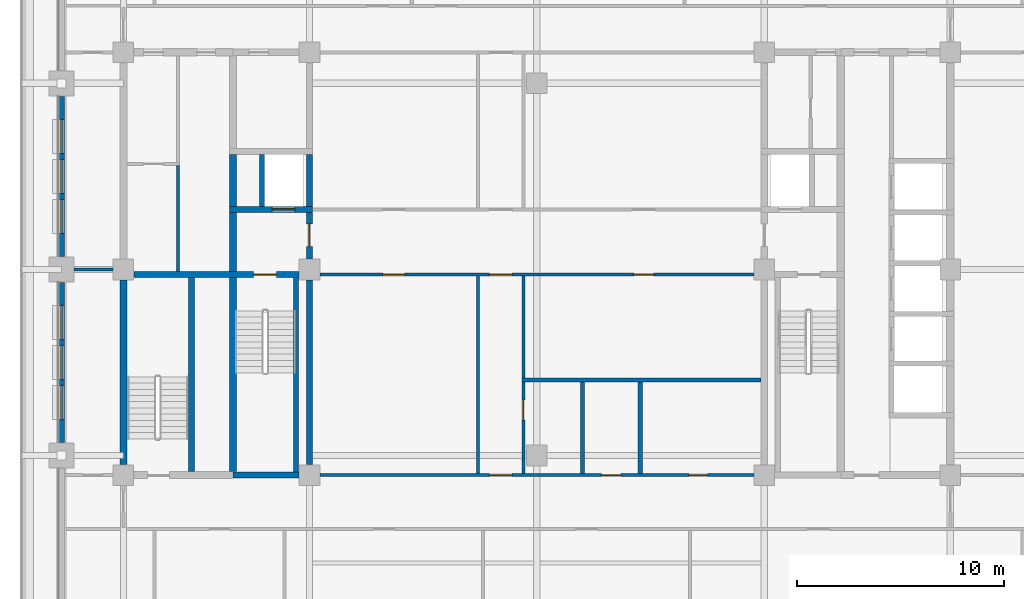
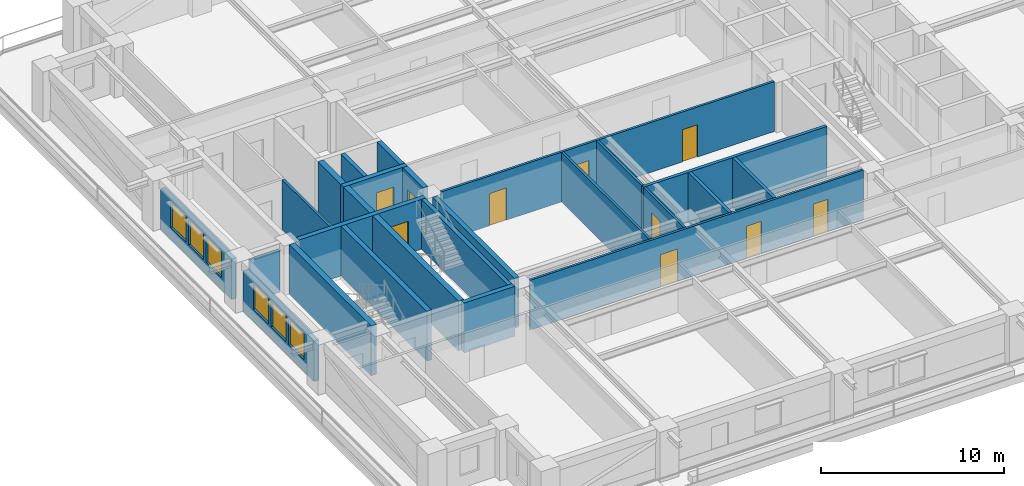
# One storey, part 3 of 14: 25 walls, 10 doors, 6 windows, 16 openings.
"""IFC4 building model written with IfcOpenShell, lengths in metres."""

from ifc_helpers import new_model, si_unit, direction, frame, frame_2d, origin, place, context, subcontext, project, spatial, rectangle, extrude, material, layer, layer_set, type_object, element, fill, save


model = new_model("IFC4")

# Units and contexts
model_context = context("Model", 3, precision=1e-05, world=origin(), true_north=direction((0.0, 1.0)))
body_context = subcontext(model_context, "Body", "Model", "MODEL_VIEW")
ifc_project = project(units=[si_unit("LENGTHUNIT", "METRE"), si_unit("AREAUNIT", "SQUARE_METRE"), si_unit("VOLUMEUNIT", "CUBIC_METRE"), si_unit("PLANEANGLEUNIT", "RADIAN"), si_unit("MASSUNIT", "GRAM", prefix="KILO")], contexts=[model_context])

# Site, building, storey
site_placement = place(None, origin())
site = spatial("IfcSite", under=ifc_project, at=site_placement, CompositionType="ELEMENT")
building_placement = place(site_placement, origin())
building = spatial("IfcBuilding", under=site, at=building_placement, Name="Zulmaris Gate Convention Tower", CompositionType="ELEMENT")
storey_placement = place(building_placement, frame((0.0, 0.0, 98.5)))
storey = spatial("IfcBuildingStorey", under=building, at=storey_placement, Name="L24", CompositionType="ELEMENT", Elevation=98.5)

# Walls
ifc_material_1 = material(Name="Concrete C50/60", Category="concrete")
ifc_layer_1 = layer(ifc_material_1, 0.25, Name="Concrete C50/60")
ifc_layer_set_1 = layer_set([ifc_layer_1], Name="Concrete C50/60")
wall_type_1 = type_object("IfcWallType", Name="CORE-250", PredefinedType="SOLIDWALL", material=ifc_layer_set_1)
wall_1_placement = place(storey_placement, frame((-13.300048828125, 3.052001953125, 0.0), z_axis=(0.0, 0.0, 1.0), x_axis=(0.0, 1.0, 0.0)))
element("IfcWall", 1, at=wall_1_placement, inside=storey, type_object=wall_type_1, Name="WL-L24-041", PredefinedType="SOLIDWALL", context=body_context, shape_type="SweptSolid", body=[
    extrude(rectangle(XDim=2.49609375, YDim=0.25, at=frame_2d((1.248046875, 0.0))), origin(), (0.0, 0.0, 1.0), 3.31982421875),
])
wall_2_placement = place(storey_placement, frame((-11.64990234375, -9.798095703125, 0.0), z_axis=(0.0, 0.0, 1.0), x_axis=(0.0, 1.0, 0.0)))
element("IfcWall", 2, at=wall_2_placement, inside=storey, type_object=wall_type_1, Name="WL-L24-042", PredefinedType="SOLIDWALL", context=body_context, shape_type="SweptSolid", body=[
    extrude(rectangle(XDim=9.39599609375, YDim=0.25, at=frame_2d((4.697998046875, 0.0))), origin(), (0.0, 0.0, 1.0), 3.31982421875),
])
ifc_layer_2 = layer(ifc_material_1, 0.300048828125, Name="Concrete C50/60")
ifc_layer_set_2 = layer_set([ifc_layer_2], Name="Concrete C50/60")
wall_type_2 = type_object("IfcWallType", Name="CORE-300", PredefinedType="SHEAR", material=ifc_layer_set_2)
wall_3_placement = place(storey_placement, frame((-14.699951171875, -9.949951171875, 0.0), z_axis=(0.0, 0.0, 1.0), x_axis=(1.0, 0.0, 0.0)))
element("IfcWall", 3, at=wall_3_placement, inside=storey, type_object=wall_type_2, Name="WL-L24-002", PredefinedType="SHEAR", context=body_context, shape_type="SweptSolid", body=[
    extrude(rectangle(XDim=3.196044921875, YDim=0.300048828125, at=frame_2d((1.59814453125, 0.0))), origin(), (0.0, 0.0, 1.0), 3.31982421875),
])

# Wall, opening, door
wall_4_placement = place(storey_placement, frame((-19.49609375, -0.25, 0.0), z_axis=(0.0, 0.0, 1.0), x_axis=(1.0, 0.0, 0.0)))
wall_4 = element("IfcWall", 4, at=wall_4_placement, inside=storey, type_object=wall_type_2, Name="WL-L24-008", PredefinedType="SHEAR", context=body_context, shape_type="SweptSolid", body=[
    extrude(rectangle(XDim=7.9921875, YDim=0.300048828125, at=frame_2d((3.99609375, 0.0))), origin(), (0.0, 0.0, 1.0), 3.31982421875),
])
opening_1_placement = place(wall_4_placement, frame((5.7958984375, 0.0, 0.0)))
opening_1 = element("IfcOpeningElement", 5, at=opening_1_placement, cuts=wall_4, Name="Opening D-08", PredefinedType="OPENING", context=body_context, shape_type="SweptSolid", body=[
    extrude(rectangle(XDim=1.10009765625, YDim=2.14990234375, at=frame_2d((0.550048828125, 1.074951171875))), frame((0.0, 0.16015625, 0.0), z_axis=(0.0, -1.0, 0.0), x_axis=(1.0, 0.0, 0.0)), (0.0, 0.0, 1.0), 0.320068359375),
])
ifc_material_2 = material(Name="Fire-Rated Steel", Category="steel")
door_type_1 = type_object("IfcDoorType", Name="DR-1100-FD", OperationType="NOTDEFINED", PredefinedType="DOOR", material=ifc_material_2)
door_1_placement = place(opening_1_placement, origin())
door_1 = element("IfcDoor", 6, at=door_1_placement, inside=storey, type_object=door_type_1, Name="L24 Exit Stair ST-1 Door 01", OperationType="SINGLE_SWING_RIGHT", OverallHeight=2.14990234375, OverallWidth=1.10009765625, PredefinedType="DOOR", context=body_context, shape_type="SweptSolid", body=[
    extrude(rectangle(XDim=1.10009765625, YDim=2.14990234375, at=frame_2d((0.550048828125, 1.074951171875))), frame((0.0, 0.02490234375, 0.0), z_axis=(0.0, -1.0, 0.0), x_axis=(1.0, 0.0, 0.0)), (0.0, 0.0, 1.0), 0.050048828125),
])
fill(opening_1, door_1)

wall_5_placement = place(storey_placement, frame((-14.875, 2.89990234375, 0.0), z_axis=(0.0, 0.0, 1.0), x_axis=(1.0, 0.0, 0.0)))
wall_5 = element("IfcWall", 7, at=wall_5_placement, inside=storey, type_object=wall_type_2, Name="WL-L24-012", PredefinedType="SHEAR", context=body_context, shape_type="SweptSolid", body=[
    extrude(rectangle(XDim=4.02490234375, YDim=0.300048828125, at=frame_2d((2.012451171875, 0.0))), origin(), (0.0, 0.0, 1.0), 3.31982421875),
])
opening_2_placement = place(wall_5_placement, frame((2.074951171875, 0.0, 0.0)))
opening_2 = element("IfcOpeningElement", 8, at=opening_2_placement, cuts=wall_5, Name="Opening D-06", PredefinedType="OPENING", context=body_context, shape_type="SweptSolid", body=[
    extrude(rectangle(XDim=1.10009765625, YDim=2.199951171875, at=frame_2d((0.550048828125, 1.10009765625))), frame((0.0, 0.16015625, 0.0), z_axis=(0.0, -1.0, 0.0), x_axis=(1.0, 0.0, 0.0)), (0.0, 0.0, 1.0), 0.320068359375),
])
ifc_material_3 = material(Name="Brushed Stainless Steel", Category="steel")
door_type_2 = type_object("IfcDoorType", Name="LD-1100", OperationType="NOTDEFINED", PredefinedType="DOOR", material=ifc_material_3)
door_2_placement = place(opening_2_placement, origin())
door_2 = element("IfcDoor", 9, at=door_2_placement, inside=storey, type_object=door_type_2, Name="L24 Lift Landing Door LF-01 03", OperationType="SLIDING_TO_LEFT", OverallHeight=2.199951171875, OverallWidth=1.10009765625, PredefinedType="DOOR", context=body_context, shape_type="SweptSolid", body=[
    extrude(rectangle(XDim=1.10009765625, YDim=2.199951171875, at=frame_2d((0.550048828125, 1.10009765625))), frame((0.0, 0.02490234375, 0.0), z_axis=(0.0, -1.0, 0.0), x_axis=(1.0, 0.0, 0.0)), (0.0, 0.0, 1.0), 0.050048828125),
])
fill(opening_2, door_2)

# Walls
wall_6_placement = place(storey_placement, frame((-16.699951171875, -9.77294921875, 0.0), z_axis=(0.0, 0.0, 1.0), x_axis=(0.0, 1.0, 0.0)))
element("IfcWall", 10, at=wall_6_placement, inside=storey, type_object=wall_type_2, Name="WL-L24-036", PredefinedType="SHEAR", context=body_context, shape_type="SweptSolid", body=[
    extrude(rectangle(XDim=9.370849609375, YDim=0.300048828125, at=frame_2d((4.685546875, 0.0))), origin(), (0.0, 0.0, 1.0), 3.31982421875),
])
wall_7_placement = place(storey_placement, frame((-11.0, -9.446044921875, 0.0), z_axis=(0.0, 0.0, 1.0), x_axis=(0.0, 1.0, 0.0)))
element("IfcWall", 11, at=wall_7_placement, inside=storey, type_object=wall_type_2, Name="WL-L24-043", PredefinedType="SHEAR", context=body_context, shape_type="SweptSolid", body=[
    extrude(rectangle(XDim=8.942138671875, YDim=0.300048828125, at=frame_2d((4.47119140625, 0.0))), origin(), (0.0, 0.0, 1.0), 3.31982421875),
])

# Wall, opening, door
wall_8_placement = place(storey_placement, frame((-11.0, 0.50390625, 0.0), z_axis=(0.0, 0.0, 1.0), x_axis=(0.0, 1.0, 0.0)))
wall_8 = element("IfcWall", 12, at=wall_8_placement, inside=storey, type_object=wall_type_2, Name="WL-L24-044", PredefinedType="SHEAR", context=body_context, shape_type="SweptSolid", body=[
    extrude(rectangle(XDim=2.244140625, YDim=0.300048828125, at=frame_2d((1.1220703125, 0.0))), origin(), (0.0, 0.0, 1.0), 3.31982421875),
])
opening_3_placement = place(wall_8_placement, frame((0.595947265625, 0.0, 0.0)))
opening_3 = element("IfcOpeningElement", 13, at=opening_3_placement, cuts=wall_8, Name="Opening D-08", PredefinedType="OPENING", context=body_context, shape_type="SweptSolid", body=[
    extrude(rectangle(XDim=1.10009765625, YDim=2.14990234375, at=frame_2d((0.550048828125, 1.074951171875))), frame((0.0, 0.16015625, 0.0), z_axis=(0.0, -1.0, 0.0), x_axis=(1.0, 0.0, 0.0)), (0.0, 0.0, 1.0), 0.320068359375),
])
door_3_placement = place(opening_3_placement, origin())
door_3 = element("IfcDoor", 14, at=door_3_placement, inside=storey, type_object=door_type_1, Name="L24 West Firefighting Lobby Door 02", OperationType="SINGLE_SWING_LEFT", OverallHeight=2.14990234375, OverallWidth=1.10009765625, PredefinedType="DOOR", context=body_context, shape_type="SweptSolid", body=[
    extrude(rectangle(XDim=1.10009765625, YDim=2.14990234375, at=frame_2d((0.550048828125, 1.074951171875))), frame((0.0, 0.02490234375, 0.0), z_axis=(0.0, -1.0, 0.0), x_axis=(1.0, 0.0, 0.0)), (0.0, 0.0, 1.0), 0.050048828125),
])
fill(opening_3, door_3)

# Walls
wall_9_placement = place(storey_placement, frame((-11.0, 3.052001953125, 0.0), z_axis=(0.0, 0.0, 1.0), x_axis=(0.0, 1.0, 0.0)))
element("IfcWall", 15, at=wall_9_placement, inside=storey, type_object=wall_type_2, Name="WL-L24-045", PredefinedType="SHEAR", context=body_context, shape_type="SweptSolid", body=[
    extrude(rectangle(XDim=2.49609375, YDim=0.300048828125, at=frame_2d((1.248046875, 0.0))), origin(), (0.0, 0.0, 1.0), 3.31982421875),
])
ifc_material_4 = material(Name="Concrete C55/67", Category="concrete")
ifc_layer_3 = layer(ifc_material_4, 0.35009765625, Name="Concrete C55/67")
ifc_layer_set_3 = layer_set([ifc_layer_3], Name="Concrete C55/67")
wall_type_3 = type_object("IfcWallType", Name="CORE-350", PredefinedType="SHEAR", material=ifc_layer_set_3)
wall_10_placement = place(storey_placement, frame((-20.0, -9.446044921875, 0.0), z_axis=(0.0, 0.0, 1.0), x_axis=(0.0, 1.0, 0.0)))
element("IfcWall", 16, at=wall_10_placement, inside=storey, type_object=wall_type_3, Name="WL-L24-034", PredefinedType="SHEAR", context=body_context, shape_type="SweptSolid", body=[
    extrude(rectangle(XDim=8.942138671875, YDim=0.35009765625, at=frame_2d((4.47119140625, 0.0))), origin(), (0.0, 0.0, 1.0), 3.31982421875),
])
wall_11_placement = place(storey_placement, frame((-14.699951171875, -9.77294921875, 0.0), z_axis=(0.0, 0.0, 1.0), x_axis=(0.0, 1.0, 0.0)))
element("IfcWall", 17, at=wall_11_placement, inside=storey, type_object=wall_type_3, Name="WL-L24-037", PredefinedType="SHEAR", context=body_context, shape_type="SweptSolid", body=[
    extrude(rectangle(XDim=9.370849609375, YDim=0.35009765625, at=frame_2d((4.685546875, 0.0))), origin(), (0.0, 0.0, 1.0), 3.31982421875),
])
wall_12_placement = place(storey_placement, frame((-14.699951171875, -0.097900390625, 0.0), z_axis=(0.0, 0.0, 1.0), x_axis=(0.0, 1.0, 0.0)))
element("IfcWall", 18, at=wall_12_placement, inside=storey, type_object=wall_type_3, Name="WL-L24-038", PredefinedType="SHEAR", context=body_context, shape_type="SweptSolid", body=[
    extrude(rectangle(XDim=2.845947265625, YDim=0.35009765625, at=frame_2d((1.4228515625, 0.0))), origin(), (0.0, 0.0, 1.0), 3.31982421875),
])
wall_13_placement = place(storey_placement, frame((-14.699951171875, 3.052001953125, 0.0), z_axis=(0.0, 0.0, 1.0), x_axis=(0.0, 1.0, 0.0)))
element("IfcWall", 19, at=wall_13_placement, inside=storey, type_object=wall_type_3, Name="WL-L24-039", PredefinedType="SHEAR", context=body_context, shape_type="SweptSolid", body=[
    extrude(rectangle(XDim=2.49609375, YDim=0.35009765625, at=frame_2d((1.248046875, 0.0))), origin(), (0.0, 0.0, 1.0), 3.31982421875),
])

# Wall, openings, doors
ifc_material_5 = material(Name="Gypsum Metal Stud Partition")
ifc_layer_4 = layer(ifc_material_5, 0.14990234375, Name="Gypsum Metal Stud Partition")
ifc_layer_set_4 = layer_set([ifc_layer_4], Name="Gypsum Metal Stud Partition")
wall_type_4 = type_object("IfcWallType", Name="PART-150", PredefinedType="PARTITIONING", material=ifc_layer_set_4)
wall_14_placement = place(storey_placement, frame((-10.493896484375, -9.949951171875, 0.0), z_axis=(0.0, 0.0, 1.0), x_axis=(1.0, 0.0, 0.0)))
wall_14 = element("IfcWall", 20, at=wall_14_placement, inside=storey, type_object=wall_type_4, Name="WL-L24-023", PredefinedType="PARTITIONING", context=body_context, shape_type="SweptSolid", body=[
    extrude(rectangle(XDim=20.98779296875, YDim=0.14990234375, at=frame_2d((10.493896484375, 0.0))), origin(), (0.0, 0.0, 1.0), 3.31982421875),
])
opening_4_placement = place(wall_14_placement, frame((8.194091796875, 0.0, 0.0)))
opening_4 = element("IfcOpeningElement", 21, at=opening_4_placement, cuts=wall_14, Name="Opening D-08", PredefinedType="OPENING", context=body_context, shape_type="SweptSolid", body=[
    extrude(rectangle(XDim=1.10009765625, YDim=2.14990234375, at=frame_2d((0.550048828125, 1.074951171875))), frame((0.0, 0.0849609375, 0.0), z_axis=(0.0, -1.0, 0.0), x_axis=(1.0, 0.0, 0.0)), (0.0, 0.0, 1.0), 0.169921875),
])
opening_5_placement = place(wall_14_placement, frame((13.618896484375, 0.0, 0.0)))
opening_5 = element("IfcOpeningElement", 22, at=opening_5_placement, cuts=wall_14, Name="Opening D-11", PredefinedType="OPENING", context=body_context, shape_type="SweptSolid", body=[
    extrude(rectangle(XDim=0.949951171875, YDim=2.14990234375, at=frame_2d((0.47509765625, 1.074951171875))), frame((0.0, 0.0849609375, 0.0), z_axis=(0.0, -1.0, 0.0), x_axis=(1.0, 0.0, 0.0)), (0.0, 0.0, 1.0), 0.169921875),
])
opening_6_placement = place(wall_14_placement, frame((17.843994140625, 0.0, 0.0)))
opening_6 = element("IfcOpeningElement", 23, at=opening_6_placement, cuts=wall_14, Name="Opening D-12", PredefinedType="OPENING", context=body_context, shape_type="SweptSolid", body=[
    extrude(rectangle(XDim=0.89990234375, YDim=2.14990234375, at=frame_2d((0.449951171875, 1.074951171875))), frame((0.0, 0.0849609375, 0.0), z_axis=(0.0, -1.0, 0.0), x_axis=(1.0, 0.0, 0.0)), (0.0, 0.0, 1.0), 0.169921875),
])
door_4_placement = place(opening_4_placement, origin())
door_4 = element("IfcDoor", 24, at=door_4_placement, inside=storey, type_object=door_type_1, Name="L24 South Gallery Link Door 22", OperationType="SINGLE_SWING_LEFT", OverallHeight=2.14990234375, OverallWidth=1.10009765625, PredefinedType="DOOR", context=body_context, shape_type="SweptSolid", body=[
    extrude(rectangle(XDim=1.10009765625, YDim=2.14990234375, at=frame_2d((0.550048828125, 1.074951171875))), frame((0.0, 0.02490234375, 0.0), z_axis=(0.0, -1.0, 0.0), x_axis=(1.0, 0.0, 0.0)), (0.0, 0.0, 1.0), 0.050048828125),
])
fill(opening_4, door_4)
ifc_material_6 = material(Name="Fire-Rated Timber", Category="wood")
door_type_3 = type_object("IfcDoorType", Name="DR-900-FD", OperationType="NOTDEFINED", PredefinedType="DOOR", material=ifc_material_6)
door_5_placement = place(opening_6_placement, origin())
door_5 = element("IfcDoor", 25, at=door_5_placement, inside=storey, type_object=door_type_3, Name="L24 Reprographics Office Door 38", OperationType="SINGLE_SWING_LEFT", OverallHeight=2.14990234375, OverallWidth=0.89990234375, PredefinedType="DOOR", context=body_context, shape_type="SweptSolid", body=[
    extrude(rectangle(XDim=0.89990234375, YDim=2.14990234375, at=frame_2d((0.449951171875, 1.074951171875))), frame((0.0, 0.02490234375, 0.0), z_axis=(0.0, -1.0, 0.0), x_axis=(1.0, 0.0, 0.0)), (0.0, 0.0, 1.0), 0.050048828125),
])
fill(opening_6, door_5)
door_type_4 = type_object("IfcDoorType", Name="DR-950-FD", OperationType="NOTDEFINED", PredefinedType="DOOR", material=ifc_material_6)
door_6_placement = place(opening_5_placement, origin())
door_6 = element("IfcDoor", 26, at=door_6_placement, inside=storey, type_object=door_type_4, Name="L24 Accessible WC Door 37", OperationType="SINGLE_SWING_RIGHT", OverallHeight=2.14990234375, OverallWidth=0.949951171875, PredefinedType="DOOR", context=body_context, shape_type="SweptSolid", body=[
    extrude(rectangle(XDim=0.949951171875, YDim=2.14990234375, at=frame_2d((0.47509765625, 1.074951171875))), frame((0.0, 0.02490234375, 0.0), z_axis=(0.0, -1.0, 0.0), x_axis=(1.0, 0.0, 0.0)), (0.0, 0.0, 1.0), 0.050048828125),
])
fill(opening_5, door_6)

wall_15_placement = place(storey_placement, frame((-10.493896484375, -0.25, 0.0), z_axis=(0.0, 0.0, 1.0), x_axis=(1.0, 0.0, 0.0)))
wall_15 = element("IfcWall", 27, at=wall_15_placement, inside=storey, type_object=wall_type_4, Name="WL-L24-026", PredefinedType="PARTITIONING", context=body_context, shape_type="SweptSolid", body=[
    extrude(rectangle(XDim=20.98779296875, YDim=0.14990234375, at=frame_2d((10.493896484375, 0.0))), origin(), (0.0, 0.0, 1.0), 3.31982421875),
])
opening_7_placement = place(wall_15_placement, frame((8.194091796875, 0.0, 0.0)))
opening_7 = element("IfcOpeningElement", 28, at=opening_7_placement, cuts=wall_15, Name="Opening D-08", PredefinedType="OPENING", context=body_context, shape_type="SweptSolid", body=[
    extrude(rectangle(XDim=1.10009765625, YDim=2.14990234375, at=frame_2d((0.550048828125, 1.074951171875))), frame((0.0, 0.0849609375, 0.0), z_axis=(0.0, -1.0, 0.0), x_axis=(1.0, 0.0, 0.0)), (0.0, 0.0, 1.0), 0.169921875),
])
opening_8_placement = place(wall_15_placement, frame((3.049072265625, 0.0, 0.0)))
opening_8 = element("IfcOpeningElement", 29, at=opening_8_placement, cuts=wall_15, Name="Opening D-09", PredefinedType="OPENING", context=body_context, shape_type="SweptSolid", body=[
    extrude(rectangle(XDim=1.050048828125, YDim=2.14990234375, at=frame_2d((0.52490234375, 1.074951171875))), frame((0.0, 0.0849609375, 0.0), z_axis=(0.0, -1.0, 0.0), x_axis=(1.0, 0.0, 0.0)), (0.0, 0.0, 1.0), 0.169921875),
])
opening_9_placement = place(wall_15_placement, frame((15.18896484375, 0.0, 0.0)))
opening_9 = element("IfcOpeningElement", 30, at=opening_9_placement, cuts=wall_15, Name="Opening D-11", PredefinedType="OPENING", context=body_context, shape_type="SweptSolid", body=[
    extrude(rectangle(XDim=0.949951171875, YDim=2.14990234375, at=frame_2d((0.47509765625, 1.074951171875))), frame((0.0, 0.0849609375, 0.0), z_axis=(0.0, -1.0, 0.0), x_axis=(1.0, 0.0, 0.0)), (0.0, 0.0, 1.0), 0.169921875),
])
door_type_5 = type_object("IfcDoorType", Name="DR-1050-FD", OperationType="NOTDEFINED", PredefinedType="DOOR", material=ifc_material_2)
door_7_placement = place(opening_8_placement, origin())
door_7 = element("IfcDoor", 31, at=door_7_placement, inside=storey, type_object=door_type_5, Name="L24 Sky Library Door 34", OperationType="SINGLE_SWING_LEFT", OverallHeight=2.14990234375, OverallWidth=1.050048828125, PredefinedType="DOOR", context=body_context, shape_type="SweptSolid", body=[
    extrude(rectangle(XDim=1.050048828125, YDim=2.14990234375, at=frame_2d((0.52490234375, 1.074951171875))), frame((0.0, 0.02490234375, 0.0), z_axis=(0.0, -1.0, 0.0), x_axis=(1.0, 0.0, 0.0)), (0.0, 0.0, 1.0), 0.050048828125),
])
fill(opening_8, door_7)
door_8_placement = place(opening_7_placement, origin())
door_8 = element("IfcDoor", 32, at=door_8_placement, inside=storey, type_object=door_type_1, Name="L24 Cross Spine South Door 24", OperationType="SINGLE_SWING_LEFT", OverallHeight=2.14990234375, OverallWidth=1.10009765625, PredefinedType="DOOR", context=body_context, shape_type="SweptSolid", body=[
    extrude(rectangle(XDim=1.10009765625, YDim=2.14990234375, at=frame_2d((0.550048828125, 1.074951171875))), frame((0.0, 0.02490234375, 0.0), z_axis=(0.0, -1.0, 0.0), x_axis=(1.0, 0.0, 0.0)), (0.0, 0.0, 1.0), 0.050048828125),
])
fill(opening_7, door_8)
door_9_placement = place(opening_9_placement, origin())
door_9 = element("IfcDoor", 33, at=door_9_placement, inside=storey, type_object=door_type_4, Name="L24 Public WC Door 35", OperationType="SINGLE_SWING_RIGHT", OverallHeight=2.14990234375, OverallWidth=0.949951171875, PredefinedType="DOOR", context=body_context, shape_type="SweptSolid", body=[
    extrude(rectangle(XDim=0.949951171875, YDim=2.14990234375, at=frame_2d((0.47509765625, 1.074951171875))), frame((0.0, 0.02490234375, 0.0), z_axis=(0.0, -1.0, 0.0), x_axis=(1.0, 0.0, 0.0)), (0.0, 0.0, 1.0), 0.050048828125),
])
fill(opening_9, door_9)

# Walls
wall_16_placement = place(storey_placement, frame((-22.39404296875, 0.0, 0.0), z_axis=(0.0, 0.0, 1.0), x_axis=(1.0, 0.0, 0.0)))
element("IfcWall", 34, at=wall_16_placement, inside=storey, type_object=wall_type_4, Name="WL-L24-027", PredefinedType="PARTITIONING", context=body_context, shape_type="SweptSolid", body=[
    extrude(rectangle(XDim=1.887939453125, YDim=0.14990234375, at=frame_2d((0.94384765625, 0.0))), origin(), (0.0, 0.0, 1.0), 2.809814453125),
])
wall_17_placement = place(storey_placement, frame((-17.35009765625, -0.096923828125, 0.0), z_axis=(0.0, 0.0, 1.0), x_axis=(0.0, 1.0, 0.0)))
element("IfcWall", 35, at=wall_17_placement, inside=storey, type_object=wall_type_4, Name="WL-L24-073", PredefinedType="PARTITIONING", context=body_context, shape_type="SweptSolid", body=[
    extrude(rectangle(XDim=5.118896484375, YDim=0.14990234375, at=frame_2d((2.5595703125, 0.0))), origin(), (0.0, 0.0, 1.0), 3.31982421875),
])
wall_18_placement = place(storey_placement, frame((-2.85009765625, -9.8720703125, 0.0), z_axis=(0.0, 0.0, 1.0), x_axis=(0.0, 1.0, 0.0)))
element("IfcWall", 36, at=wall_18_placement, inside=storey, type_object=wall_type_4, Name="WL-L24-077", PredefinedType="PARTITIONING", context=body_context, shape_type="SweptSolid", body=[
    extrude(rectangle(XDim=9.544189453125, YDim=0.14990234375, at=frame_2d((4.77197265625, 0.0))), origin(), (0.0, 0.0, 1.0), 3.31982421875),
])

# Wall, opening, door
wall_19_placement = place(storey_placement, frame((-0.64990234375, -9.8720703125, 0.0), z_axis=(0.0, 0.0, 1.0), x_axis=(0.0, 1.0, 0.0)))
wall_19 = element("IfcWall", 37, at=wall_19_placement, inside=storey, type_object=wall_type_4, Name="WL-L24-080", PredefinedType="PARTITIONING", context=body_context, shape_type="SweptSolid", body=[
    extrude(rectangle(XDim=4.419189453125, YDim=0.14990234375, at=frame_2d((2.20947265625, 0.0))), origin(), (0.0, 0.0, 1.0), 3.31982421875),
])
opening_10_placement = place(wall_19_placement, frame((2.596923828125, 0.0, 0.0)))
opening_10 = element("IfcOpeningElement", 38, at=opening_10_placement, cuts=wall_19, Name="Opening D-11", PredefinedType="OPENING", context=body_context, shape_type="SweptSolid", body=[
    extrude(rectangle(XDim=0.949951171875, YDim=2.14990234375, at=frame_2d((0.47509765625, 1.074951171875))), frame((0.0, 0.0849609375, 0.0), z_axis=(0.0, -1.0, 0.0), x_axis=(1.0, 0.0, 0.0)), (0.0, 0.0, 1.0), 0.169921875),
])
door_10_placement = place(opening_10_placement, origin())
door_10 = element("IfcDoor", 39, at=door_10_placement, inside=storey, type_object=door_type_4, Name="L24 Hygiene Supply Door 36", OperationType="SINGLE_SWING_LEFT", OverallHeight=2.14990234375, OverallWidth=0.949951171875, PredefinedType="DOOR", context=body_context, shape_type="SweptSolid", body=[
    extrude(rectangle(XDim=0.949951171875, YDim=2.14990234375, at=frame_2d((0.47509765625, 1.074951171875))), frame((0.0, 0.02490234375, 0.0), z_axis=(0.0, -1.0, 0.0), x_axis=(1.0, 0.0, 0.0)), (0.0, 0.0, 1.0), 0.050048828125),
])
fill(opening_10, door_10)

# Walls
wall_20_placement = place(storey_placement, frame((-0.64990234375, -5.2470703125, 0.0), z_axis=(0.0, 0.0, 1.0), x_axis=(0.0, 1.0, 0.0)))
element("IfcWall", 40, at=wall_20_placement, inside=storey, type_object=wall_type_4, Name="WL-L24-081", PredefinedType="PARTITIONING", context=body_context, shape_type="SweptSolid", body=[
    extrude(rectangle(XDim=4.919189453125, YDim=0.14990234375, at=frame_2d((2.45947265625, 0.0))), origin(), (0.0, 0.0, 1.0), 3.31982421875),
])
ifc_material_7 = material(Name="Autoclaved Aerated Concrete Block and Plasterboard", Category="concrete")
ifc_layer_5 = layer(ifc_material_7, 0.199951171875, Name="Autoclaved Aerated Concrete Block and Plasterboard")
ifc_layer_set_5 = layer_set([ifc_layer_5], Name="Autoclaved Aerated Concrete Block and Plasterboard")
wall_type_5 = type_object("IfcWallType", Name="PART-200", PredefinedType="PARTITIONING", material=ifc_layer_set_5)
wall_21_placement = place(storey_placement, frame((-0.72509765625, -5.35009765625, 0.0), z_axis=(0.0, 0.0, 1.0), x_axis=(1.0, 0.0, 0.0)))
element("IfcWall", 41, at=wall_21_placement, inside=storey, type_object=wall_type_5, Name="WL-L24-025", PredefinedType="PARTITIONING", context=body_context, shape_type="SweptSolid", body=[
    extrude(rectangle(XDim=11.572021484375, YDim=0.199951171875, at=frame_2d((5.7861328125, 0.0))), origin(), (0.0, 0.0, 1.0), 3.31982421875),
])
for number, where, z_axis, x_axis, name in (
    (42, (2.199951171875, -9.8720703125, 0.0), (0.0, 0.0, 1.0), (0.0, 1.0, 0.0), "WL-L24-083"),
    (43, (5.0, -9.8720703125, 0.0), (0.0, 0.0, 1.0), (0.0, 1.0, 0.0), "WL-L24-084"),
):
    element("IfcWall", number, at=place(storey_placement, frame(where, z_axis=z_axis, x_axis=x_axis)), inside=storey, type_object=wall_type_5, Name=name, PredefinedType="PARTITIONING", context=body_context, shape_type="SweptSolid", body=[
        extrude(rectangle(XDim=4.419189453125, YDim=0.199951171875, at=frame_2d((2.20947265625, 0.0))), origin(), (0.0, 0.0, 1.0), 3.31982421875),
    ])

# Wall, openings, windows
ifc_material_8 = material(Name="Precast concrete C40/50", Category="concrete")
ifc_layer_6 = layer(ifc_material_8, 0.300048828125, Name="Precast concrete C40/50")
ifc_layer_set_6 = layer_set([ifc_layer_6], Name="Precast concrete C40/50")
wall_type_6 = type_object("IfcWallType", Name="PRECAST-PIER-300", PredefinedType="STANDARD", material=ifc_layer_set_6)
wall_22_placement = place(storey_placement, frame((-23.0, -0.6298828125, 0.0), z_axis=(0.0, 0.0, 1.0), x_axis=(0.0, -1.0, 0.0)))
wall_22 = element("IfcWall", 44, at=wall_22_placement, inside=storey, type_object=wall_type_6, Name="EW-L24-W-1_0", PredefinedType="STANDARD", context=body_context, shape_type="SweptSolid", body=[
    extrude(rectangle(XDim=7.740234375, YDim=0.300048828125, at=frame_2d((3.8701171875, 0.0))), origin(), (0.0, 0.0, 1.0), 2.7119140625),
])
opening_11_placement = place(wall_22_placement, frame((1.110107421875, 0.0, 0.800048828125)))
opening_11 = element("IfcOpeningElement", 45, at=opening_11_placement, cuts=wall_22, Name="Opening W-08", PredefinedType="OPENING", context=body_context, shape_type="SweptSolid", body=[
    extrude(rectangle(XDim=1.64990234375, YDim=1.699951171875, at=frame_2d((0.824951171875, 0.85009765625))), frame((0.0, 0.16015625, 0.0), z_axis=(0.0, -1.0, 0.0), x_axis=(1.0, 0.0, 0.0)), (0.0, 0.0, 1.0), 0.320068359375),
])
opening_12_placement = place(wall_22_placement, frame((3.044921875, 0.0, 0.800048828125)))
opening_12 = element("IfcOpeningElement", 46, at=opening_12_placement, cuts=wall_22, Name="Opening W-08", PredefinedType="OPENING", context=body_context, shape_type="SweptSolid", body=[
    extrude(rectangle(XDim=1.64990234375, YDim=1.699951171875, at=frame_2d((0.824951171875, 0.85009765625))), frame((0.0, 0.16015625, 0.0), z_axis=(0.0, -1.0, 0.0), x_axis=(1.0, 0.0, 0.0)), (0.0, 0.0, 1.0), 0.320068359375),
])
opening_13_placement = place(wall_22_placement, frame((4.97998046875, 0.0, 0.800048828125)))
opening_13 = element("IfcOpeningElement", 47, at=opening_13_placement, cuts=wall_22, Name="Opening W-08", PredefinedType="OPENING", context=body_context, shape_type="SweptSolid", body=[
    extrude(rectangle(XDim=1.64990234375, YDim=1.699951171875, at=frame_2d((0.824951171875, 0.85009765625))), frame((0.0, 0.16015625, 0.0), z_axis=(0.0, -1.0, 0.0), x_axis=(1.0, 0.0, 0.0)), (0.0, 0.0, 1.0), 0.320068359375),
])
ifc_material_9 = material(Name="Low-E Laminated Double Glazing in Aluminium Frame", Category="aluminium")
window_type = type_object("IfcWindowType", Name="WIN-1650x2150", PartitioningType="SINGLE_PANEL", PredefinedType="WINDOW", material=ifc_material_9)
window_1_placement = place(opening_11_placement, origin())
window_1 = element("IfcWindow", 48, at=window_1_placement, inside=storey, type_object=window_type, Name="WN-EW-L24-W-1_0-1", OverallHeight=1.699951171875, OverallWidth=1.64990234375, PartitioningType="SINGLE_PANEL", PredefinedType="WINDOW", context=body_context, shape_type="SweptSolid", body=[
    extrude(rectangle(XDim=1.64990234375, YDim=1.699951171875, at=frame_2d((0.824951171875, 0.85009765625))), frame((0.0, 0.030029296875, 0.0), z_axis=(0.0, -1.0, 0.0), x_axis=(1.0, 0.0, 0.0)), (0.0, 0.0, 1.0), 0.06005859375),
])
fill(opening_11, window_1)
window_2_placement = place(opening_12_placement, origin())
window_2 = element("IfcWindow", 49, at=window_2_placement, inside=storey, type_object=window_type, Name="WN-EW-L24-W-1_0-2", OverallHeight=1.699951171875, OverallWidth=1.64990234375, PartitioningType="SINGLE_PANEL", PredefinedType="WINDOW", context=body_context, shape_type="SweptSolid", body=[
    extrude(rectangle(XDim=1.64990234375, YDim=1.699951171875, at=frame_2d((0.824951171875, 0.85009765625))), frame((0.0, 0.030029296875, 0.0), z_axis=(0.0, -1.0, 0.0), x_axis=(1.0, 0.0, 0.0)), (0.0, 0.0, 1.0), 0.06005859375),
])
fill(opening_12, window_2)
window_3_placement = place(opening_13_placement, origin())
window_3 = element("IfcWindow", 50, at=window_3_placement, inside=storey, type_object=window_type, Name="WN-EW-L24-W-1_0-3", OverallHeight=1.699951171875, OverallWidth=1.64990234375, PartitioningType="SINGLE_PANEL", PredefinedType="WINDOW", context=body_context, shape_type="SweptSolid", body=[
    extrude(rectangle(XDim=1.64990234375, YDim=1.699951171875, at=frame_2d((0.824951171875, 0.85009765625))), frame((0.0, 0.030029296875, 0.0), z_axis=(0.0, -1.0, 0.0), x_axis=(1.0, 0.0, 0.0)), (0.0, 0.0, 1.0), 0.06005859375),
])
fill(opening_13, window_3)

wall_23_placement = place(storey_placement, frame((-23.0, 8.3701171875, 0.0), z_axis=(0.0, 0.0, 1.0), x_axis=(0.0, -1.0, 0.0)))
wall_23 = element("IfcWall", 51, at=wall_23_placement, inside=storey, type_object=wall_type_6, Name="EW-L24-W-2_0", PredefinedType="STANDARD", context=body_context, shape_type="SweptSolid", body=[
    extrude(rectangle(XDim=7.740234375, YDim=0.300048828125, at=frame_2d((3.8701171875, 0.0))), origin(), (0.0, 0.0, 1.0), 2.7119140625),
])
opening_14_placement = place(wall_23_placement, frame((1.110107421875, 0.0, 0.800048828125)))
opening_14 = element("IfcOpeningElement", 52, at=opening_14_placement, cuts=wall_23, Name="Opening W-08", PredefinedType="OPENING", context=body_context, shape_type="SweptSolid", body=[
    extrude(rectangle(XDim=1.64990234375, YDim=1.699951171875, at=frame_2d((0.824951171875, 0.85009765625))), frame((0.0, 0.16015625, 0.0), z_axis=(0.0, -1.0, 0.0), x_axis=(1.0, 0.0, 0.0)), (0.0, 0.0, 1.0), 0.320068359375),
])
opening_15_placement = place(wall_23_placement, frame((3.044921875, 0.0, 0.800048828125)))
opening_15 = element("IfcOpeningElement", 53, at=opening_15_placement, cuts=wall_23, Name="Opening W-08", PredefinedType="OPENING", context=body_context, shape_type="SweptSolid", body=[
    extrude(rectangle(XDim=1.64990234375, YDim=1.699951171875, at=frame_2d((0.824951171875, 0.85009765625))), frame((0.0, 0.16015625, 0.0), z_axis=(0.0, -1.0, 0.0), x_axis=(1.0, 0.0, 0.0)), (0.0, 0.0, 1.0), 0.320068359375),
])
opening_16_placement = place(wall_23_placement, frame((4.97998046875, 0.0, 0.800048828125)))
opening_16 = element("IfcOpeningElement", 54, at=opening_16_placement, cuts=wall_23, Name="Opening W-08", PredefinedType="OPENING", context=body_context, shape_type="SweptSolid", body=[
    extrude(rectangle(XDim=1.64990234375, YDim=1.699951171875, at=frame_2d((0.824951171875, 0.85009765625))), frame((0.0, 0.16015625, 0.0), z_axis=(0.0, -1.0, 0.0), x_axis=(1.0, 0.0, 0.0)), (0.0, 0.0, 1.0), 0.320068359375),
])
window_4_placement = place(opening_14_placement, origin())
window_4 = element("IfcWindow", 55, at=window_4_placement, inside=storey, type_object=window_type, Name="WN-EW-L24-W-2_0-1", OverallHeight=1.699951171875, OverallWidth=1.64990234375, PartitioningType="SINGLE_PANEL", PredefinedType="WINDOW", context=body_context, shape_type="SweptSolid", body=[
    extrude(rectangle(XDim=1.64990234375, YDim=1.699951171875, at=frame_2d((0.824951171875, 0.85009765625))), frame((0.0, 0.030029296875, 0.0), z_axis=(0.0, -1.0, 0.0), x_axis=(1.0, 0.0, 0.0)), (0.0, 0.0, 1.0), 0.06005859375),
])
fill(opening_14, window_4)
window_5_placement = place(opening_15_placement, origin())
window_5 = element("IfcWindow", 56, at=window_5_placement, inside=storey, type_object=window_type, Name="WN-EW-L24-W-2_0-2", OverallHeight=1.699951171875, OverallWidth=1.64990234375, PartitioningType="SINGLE_PANEL", PredefinedType="WINDOW", context=body_context, shape_type="SweptSolid", body=[
    extrude(rectangle(XDim=1.64990234375, YDim=1.699951171875, at=frame_2d((0.824951171875, 0.85009765625))), frame((0.0, 0.030029296875, 0.0), z_axis=(0.0, -1.0, 0.0), x_axis=(1.0, 0.0, 0.0)), (0.0, 0.0, 1.0), 0.06005859375),
])
fill(opening_15, window_5)
window_6_placement = place(opening_16_placement, origin())
window_6 = element("IfcWindow", 57, at=window_6_placement, inside=storey, type_object=window_type, Name="WN-EW-L24-W-2_0-3", OverallHeight=1.699951171875, OverallWidth=1.64990234375, PartitioningType="SINGLE_PANEL", PredefinedType="WINDOW", context=body_context, shape_type="SweptSolid", body=[
    extrude(rectangle(XDim=1.64990234375, YDim=1.699951171875, at=frame_2d((0.824951171875, 0.85009765625))), frame((0.0, 0.030029296875, 0.0), z_axis=(0.0, -1.0, 0.0), x_axis=(1.0, 0.0, 0.0)), (0.0, 0.0, 1.0), 0.06005859375),
])
fill(opening_16, window_6)

save(model, "model.ifc")
